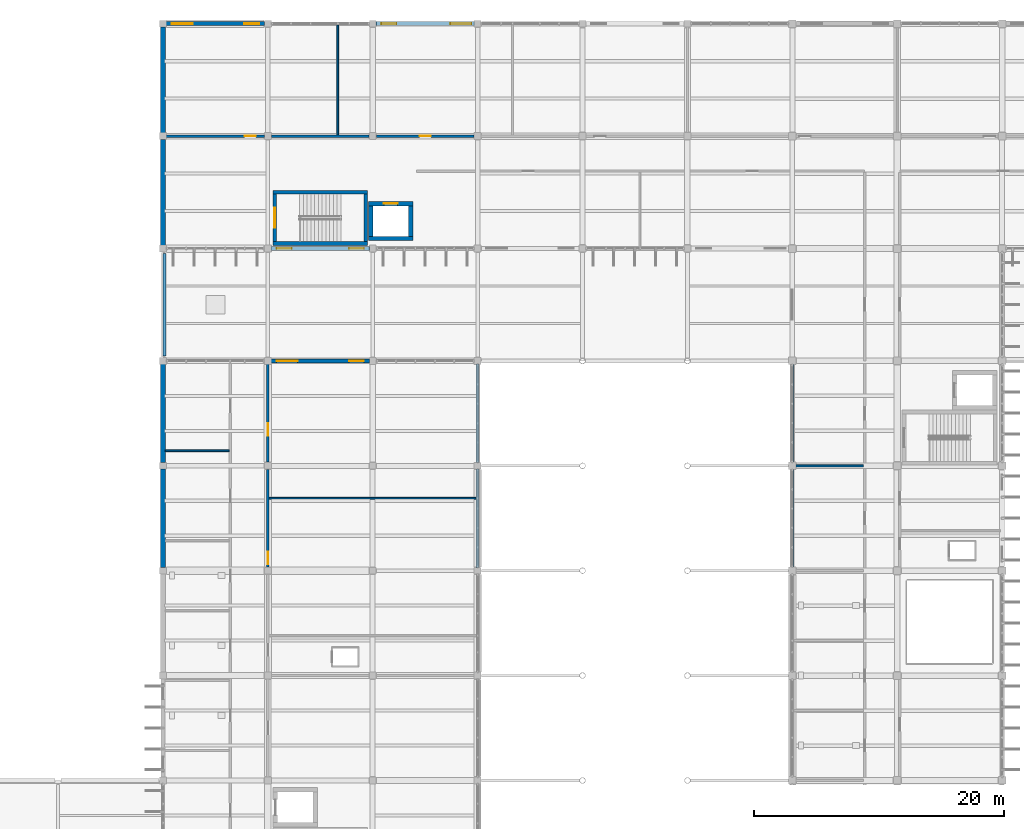
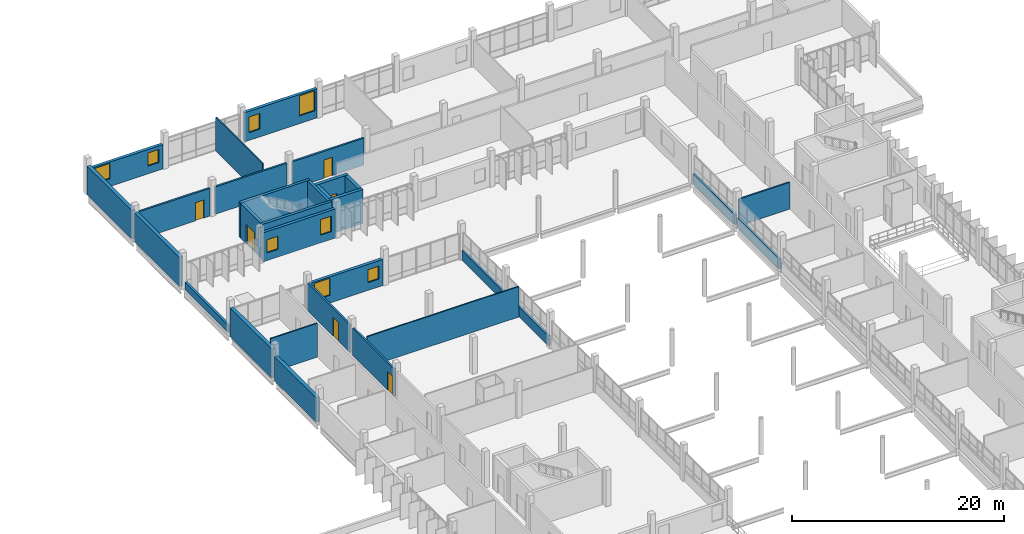
# One storey, part 115 of 130: 30 walls, 8 windows, 6 doors, 14 openings.
"""IFC4 building model written with IfcOpenShell, lengths in metres."""

import ifcopenshell
import ifcopenshell.guid

model = None  # the IFC model being written
_history = None  # IfcOwnerHistory: only IFC2X3 demands one
_inside = {}  # id of a spatial element -> (the spatial element, [elements in it])
_under = {}  # id of a project, library or spatial element -> (it, [spatial elements below it])
_declared = {}  # id of a project -> (the project, [libraries it declares])
_typed = {}  # id of a type object -> (the type object, [elements of that type])
_made_of = {}  # id of a material, layer set ... -> (it, [elements and type objects made of it])


def new_model(schema):
    """Start an empty IFC model of exactly this schema.

    Asked for "IFC4X3", IfcOpenShell would pick the latest addendum, in which some entities
    have other attributes; the version numbers below select the first issue.
    IFC2X3 requires an IfcOwnerHistory on every rooted entity: one is made here for all.
    """
    global model, _history
    if schema == "IFC4X3":
        model = ifcopenshell.file(schema_version=(4, 3, 0, 0))
    else:
        model = ifcopenshell.file(schema=schema)
    _inside.clear()
    _under.clear()
    _declared.clear()
    _typed.clear()
    _made_of.clear()
    _history = None
    if model.schema == "IFC2X3":
        org = make("IfcOrganization", Name="unknown")
        user = make(
            "IfcPersonAndOrganization",
            ThePerson=make("IfcPerson", FamilyName="unknown"),
            TheOrganization=org,
        )
        app = make(
            "IfcApplication",
            ApplicationDeveloper=org,
            Version="unknown",
            ApplicationFullName="unknown",
            ApplicationIdentifier="unknown",
        )
        _history = make(
            "IfcOwnerHistory",
            OwningUser=user,
            OwningApplication=app,
            ChangeAction="ADDED",
            CreationDate=0,
        )
    return model


def make(cls, **values):
    """One entity of the class cls with the attributes given. An attribute that is None is left unset."""
    return model.create_entity(
        cls, **{name: value for name, value in values.items() if value is not None}
    )


def rooted(cls, **values):
    """An entity with a GlobalId (a new one), such as an element, a storey or a relation."""
    return make(cls, GlobalId=ifcopenshell.guid.new(), OwnerHistory=_history, **values)


def si_unit(unit_type, name, prefix=None):
    """IfcSIUnit, for example si_unit("LENGTHUNIT", "METRE", prefix="MILLI")."""
    return make("IfcSIUnit", UnitType=unit_type, Prefix=prefix, Name=name)


def assignment(units):
    """IfcUnitAssignment: the units of a project."""
    return None if units is None else make("IfcUnitAssignment", Units=units)


def point(xyz):
    """IfcCartesianPoint."""
    return None if xyz is None else make("IfcCartesianPoint", Coordinates=xyz)


def direction(xyz):
    """IfcDirection."""
    return None if xyz is None else make("IfcDirection", DirectionRatios=xyz)


def frame(location, z_axis=None, x_axis=None):
    """IfcAxis2Placement3D, a coordinate frame: its origin and axes. An axis left out is left unset."""
    return make(
        "IfcAxis2Placement3D",
        Location=point(location),
        Axis=direction(z_axis),
        RefDirection=direction(x_axis),
    )


def frame_2d(location, x_axis=None):
    """IfcAxis2Placement2D, a coordinate frame in the plane: its origin and x axis."""
    return make(
        "IfcAxis2Placement2D", Location=point(location), RefDirection=direction(x_axis)
    )


def origin():
    """The frame at (0, 0, 0) with its axes left unset."""
    return frame((0.0, 0.0, 0.0))


def place(relative_to, where):
    """IfcLocalPlacement: puts the frame where relative to a parent placement (None: the world)."""
    return make(
        "IfcLocalPlacement", PlacementRelTo=relative_to, RelativePlacement=where
    )


def context(
    kind, dimensions, precision=None, world=None, true_north=None, identifier=None
):
    """IfcGeometricRepresentationContext, for example the 3D "Model" context."""
    return make(
        "IfcGeometricRepresentationContext",
        ContextIdentifier=identifier,
        ContextType=kind,
        CoordinateSpaceDimension=dimensions,
        Precision=precision,
        WorldCoordinateSystem=world,
        TrueNorth=true_north,
    )


def subcontext(parent, identifier, kind, view, scale=None):
    """IfcGeometricRepresentationSubContext, for example "Body" below "Model"."""
    return make(
        "IfcGeometricRepresentationSubContext",
        ContextIdentifier=identifier,
        ContextType=kind,
        ParentContext=parent,
        TargetScale=scale,
        TargetView=view,
    )


def project(units=None, contexts=None):
    """IfcProject with its units and contexts."""
    return rooted(
        "IfcProject",
        Name="project",
        RepresentationContexts=contexts,
        UnitsInContext=assignment(units),
    )


def spatial(cls, under=None, at=None, **own):
    """A site, building, storey or space (cls), placed at a placement, below another one or the project."""
    s = rooted(cls, ObjectPlacement=at, **own)
    if under is not None:
        _under.setdefault(under.id(), (under, []))[1].append(s)
    return s


def profile(cls, at=None, kind="AREA", **sizes):
    """A parametric profile (cls). Its sizes go by their IFC names, for example OverallWidth=200.0."""
    return make(cls, ProfileType=kind, Position=at, **sizes)


def rectangle(**sizes):
    """IfcRectangleProfileDef."""
    return profile("IfcRectangleProfileDef", **sizes)


def extrude(swept, where, along, depth):
    """IfcExtrudedAreaSolid: the profile swept, set in the frame where, extruded along a direction by depth."""
    return make(
        "IfcExtrudedAreaSolid",
        SweptArea=swept,
        Position=where,
        ExtrudedDirection=direction(along),
        Depth=depth,
    )


def shape(context_of_items, identifier, shape_type, items):
    """IfcShapeRepresentation: the items that make up one representation, for example the "Body"."""
    return make(
        "IfcShapeRepresentation",
        ContextOfItems=context_of_items,
        RepresentationIdentifier=identifier,
        RepresentationType=shape_type,
        Items=items,
    )


def material(Name=None, Category=None):
    """IfcMaterial."""
    return make("IfcMaterial", Name=Name, Category=Category)


def layer(
    of_material, thickness, ventilated=None, Name=None, Category=None, Priority=None
):
    """IfcMaterialLayer: one layer of a wall or slab, of a material (None: an air gap)."""
    return make(
        "IfcMaterialLayer",
        Material=of_material,
        LayerThickness=thickness,
        IsVentilated=ventilated,
        Name=Name,
        Category=Category,
        Priority=Priority,
    )


def layer_set(layers, Name=None):
    """IfcMaterialLayerSet."""
    return make("IfcMaterialLayerSet", MaterialLayers=layers, LayerSetName=Name)


def made_of(thing, what):
    """Note that an element or type object is made of a material, layer set ...; save() writes the relation."""
    if what is not None:
        _made_of.setdefault(what.id(), (what, []))[1].append(thing)
    return thing


def type_object(cls, material=None, **own):
    """A type object (cls), such as IfcWallType, which elements share."""
    return made_of(rooted(cls, **own), material)


def element(
    cls,
    number,
    at=None,
    inside=None,
    cuts=None,
    type_object=None,
    material=None,
    context=None,
    identifier="Body",
    shape_type=None,
    held_by="IfcProductDefinitionShape",
    body=None,
    shapes=None,
    **own,
):
    """One element of the class cls, such as IfcWall. Its Tag is "e" and its number.

    at: its placement. inside: the storey or other place that contains it. cuts: it is an
    opening in that element (IfcRelVoidsElement). A single representation is given by context,
    identifier, shape_type and body (its items); several are given by shapes. held_by: the class
    of the entity that holds the representations. save() writes the other relations.
    """
    e = rooted(cls, Tag="e%d" % number, ObjectPlacement=at, **own)
    if body is not None:
        shapes = [shape(context, identifier, shape_type, body)]
    if shapes is not None:
        e.Representation = make(held_by, Representations=shapes)
    if inside is not None:
        _inside.setdefault(inside.id(), (inside, []))[1].append(e)
    if cuts is not None:
        rooted(
            "IfcRelVoidsElement", RelatingBuildingElement=cuts, RelatedOpeningElement=e
        )
    if type_object is not None:
        _typed.setdefault(type_object.id(), (type_object, []))[1].append(e)
    return made_of(e, material)


def fill(opening, filler):
    """IfcRelFillsElement: the door or window that sits in an opening."""
    return rooted(
        "IfcRelFillsElement",
        RelatingOpeningElement=opening,
        RelatedBuildingElement=filler,
    )


def aggregate(whole, parts):
    """IfcRelAggregates: a whole, such as a stair, and the parts it consists of."""
    return rooted("IfcRelAggregates", RelatingObject=whole, RelatedObjects=parts)


def save(model, path):
    """Write the relations noted so far, then the file.

    IfcRelAggregates (storeys below a building ...), IfcRelContainedInSpatialStructure (elements
    in a storey), IfcRelDefinesByType, IfcRelAssociatesMaterial and IfcRelDeclares: one each for
    every whole, place, type object, material and project.
    """
    for whole, parts in _under.values():
        aggregate(whole, parts)
    for where, things in _inside.values():
        rooted(
            "IfcRelContainedInSpatialStructure",
            RelatedElements=things,
            RelatingStructure=where,
        )
    for kind, things in _typed.values():
        rooted("IfcRelDefinesByType", RelatedObjects=things, RelatingType=kind)
    for what, things in _made_of.values():
        rooted("IfcRelAssociatesMaterial", RelatedObjects=things, RelatingMaterial=what)
    for by, libraries in _declared.values():
        rooted("IfcRelDeclares", RelatingContext=by, RelatedDefinitions=libraries)
    model.write(path)


model = new_model("IFC4")

# Units and contexts
model_context = context("Model", 3, precision=1e-05, world=origin(), true_north=direction((0.0, 1.0)))
body_context = subcontext(model_context, "Body", "Model", "MODEL_VIEW")
ifc_project = project(units=[si_unit("LENGTHUNIT", "METRE"), si_unit("AREAUNIT", "SQUARE_METRE"), si_unit("VOLUMEUNIT", "CUBIC_METRE"), si_unit("PLANEANGLEUNIT", "RADIAN"), si_unit("MASSUNIT", "GRAM", prefix="KILO")], contexts=[model_context])

# Site, building, storey
site_placement = place(None, origin())
site = spatial("IfcSite", under=ifc_project, at=site_placement, CompositionType="ELEMENT")
building_placement = place(site_placement, origin())
building = spatial("IfcBuilding", under=site, at=building_placement, Name="Vireocrest Preparatory School", CompositionType="ELEMENT")
storey_placement = place(building_placement, frame((0.0, 0.0, 9.0)))
storey = spatial("IfcBuildingStorey", under=building, at=storey_placement, Name="L02", CompositionType="ELEMENT", Elevation=9.0)

# Walls
ifc_material_1 = material(Name="Gypsum board on cold-formed steel studs", Category="steel")
ifc_layer_1 = layer(ifc_material_1, 0.139892578125)
ifc_layer_set_1 = layer_set([ifc_layer_1], Name="Gypsum board on cold-formed steel studs")
wall_type_1 = type_object("IfcWallType", Name="Classroom Acoustic Partition Wall 140", PredefinedType="PARTITIONING", material=ifc_layer_set_1)
wall_1_placement = place(storey_placement, frame((42.195068359375, 78.60009765625, 0.0), z_axis=(0.0, 0.0, 1.0), x_axis=(1.0, 0.0, 0.0)))
element("IfcWall", 1, at=wall_1_placement, inside=storey, type_object=wall_type_1, Name="Interior Partition W03 IW_L02_0193", PredefinedType="PARTITIONING", context=body_context, shape_type="SweptSolid", body=[
    extrude(rectangle(XDim=5.099853515625, YDim=0.139892578125, at=frame_2d((2.5498046875, 0.0))), origin(), (0.0, 0.0, 1.0), 3.89990234375),
])
wall_2_placement = place(storey_placement, frame((50.5048828125, 74.800048828125, 0.0), z_axis=(0.0, 0.0, 1.0), x_axis=(1.0, 0.0, 0.0)))
element("IfcWall", 2, at=wall_2_placement, inside=storey, type_object=wall_type_1, Name="Interior Partition W03 IW_L02_0199", PredefinedType="PARTITIONING", context=body_context, shape_type="SweptSolid", body=[
    extrude(rectangle(XDim=16.570068359375, YDim=0.139892578125, at=frame_2d((8.28515625, 0.0))), origin(), (0.0, 0.0, 1.0), 3.510009765625),
])
wall_3_placement = place(storey_placement, frame((56.0, 103.905029296875, 0.0), z_axis=(0.0, 0.0, 1.0), x_axis=(0.0, 1.0, 0.0)))
element("IfcWall", 3, at=wall_3_placement, inside=storey, type_object=wall_type_1, Name="Interior Partition W03 IW_L02_0205", PredefinedType="PARTITIONING", context=body_context, shape_type="SweptSolid", body=[
    extrude(rectangle(XDim=8.7900390625, YDim=0.139892578125, at=frame_2d((4.39501953125, 0.0))), origin(), (0.0, 0.0, 1.0), 3.89990234375),
])

# Wall, opening, door
ifc_layer_2 = layer(ifc_material_1, 0.199951171875)
ifc_layer_set_2 = layer_set([ifc_layer_2], Name="Gypsum board on cold-formed steel studs")
wall_type_2 = type_object("IfcWallType", Name="Corridor One-Hour Fire Partition 200", PredefinedType="PARTITIONING", material=ifc_layer_set_2)
wall_4_placement = place(storey_placement, frame((50.39990234375, 69.284912109375, 0.0), z_axis=(0.0, 0.0, 1.0), x_axis=(0.0, 1.0, 0.0)))
wall_4 = element("IfcWall", 4, at=wall_4_placement, inside=storey, type_object=wall_type_2, Name="Interior Partition W06 IW_L02_0202", PredefinedType="PARTITIONING", context=body_context, shape_type="SweptSolid", body=[
    extrude(rectangle(XDim=7.830078125, YDim=0.199951171875, at=frame_2d((3.9150390625, 0.0))), origin(), (0.0, 0.0, 1.0), 3.159912109375),
])
opening_1_placement = place(wall_4_placement, frame((0.25, 0.0, 0.0)))
opening_1 = element("IfcOpeningElement", 5, at=opening_1_placement, cuts=wall_4, Name="Opening D-L02-W2EN03", PredefinedType="OPENING", context=body_context, shape_type="SweptSolid", body=[
    extrude(rectangle(XDim=1.0, YDim=2.14990234375, at=frame_2d((0.5, 1.074951171875))), frame((0.0, 0.10986328125, 0.0), z_axis=(0.0, -1.0, 0.0), x_axis=(1.0, 0.0, 0.0)), (0.0, 0.0, 1.0), 0.219970703125),
])
ifc_material_2 = material(Name="Solid-core architectural birch timber", Category="wood")
door_type_1 = type_object("IfcDoorType", Name="Classroom Acoustic Timber Door 1000x2150", OperationType="NOTDEFINED", PredefinedType="DOOR", material=ifc_material_2)
door_1_placement = place(opening_1_placement, origin())
door_1 = element("IfcDoor", 6, at=door_1_placement, inside=storey, type_object=door_type_1, Name="Interior Door D-L02-W2EN03", OperationType="SINGLE_SWING_RIGHT", OverallHeight=2.14990234375, OverallWidth=1.0, PredefinedType="DOOR", context=body_context, shape_type="SweptSolid", body=[
    extrude(rectangle(XDim=1.0, YDim=2.14990234375, at=frame_2d((0.5, 1.074951171875))), frame((0.0, 0.02490234375, 0.0), z_axis=(0.0, -1.0, 0.0), x_axis=(1.0, 0.0, 0.0)), (0.0, 0.0, 1.0), 0.050048828125),
])
fill(opening_1, door_1)

wall_5_placement = place(storey_placement, frame((50.39990234375, 77.68505859375, 0.0), z_axis=(0.0, 0.0, 1.0), x_axis=(0.0, 1.0, 0.0)))
wall_5 = element("IfcWall", 7, at=wall_5_placement, inside=storey, type_object=wall_type_2, Name="Interior Partition W06 IW_L02_0203", PredefinedType="PARTITIONING", context=body_context, shape_type="SweptSolid", body=[
    extrude(rectangle(XDim=8.010009765625, YDim=0.199951171875, at=frame_2d((4.0048828125, 0.0))), origin(), (0.0, 0.0, 1.0), 3.2099609375),
])
opening_2_placement = place(wall_5_placement, frame((2.114990234375, 0.0, 0.0)))
opening_2 = element("IfcOpeningElement", 8, at=opening_2_placement, cuts=wall_5, Name="Opening D-L02-W2EN04", PredefinedType="OPENING", context=body_context, shape_type="SweptSolid", body=[
    extrude(rectangle(XDim=1.0, YDim=2.14990234375, at=frame_2d((0.5, 1.074951171875))), frame((0.0, 0.10986328125, 0.0), z_axis=(0.0, -1.0, 0.0), x_axis=(1.0, 0.0, 0.0)), (0.0, 0.0, 1.0), 0.219970703125),
])
door_2_placement = place(opening_2_placement, origin())
door_2 = element("IfcDoor", 9, at=door_2_placement, inside=storey, type_object=door_type_1, Name="Interior Door D-L02-W2EN04", OperationType="SINGLE_SWING_LEFT", OverallHeight=2.14990234375, OverallWidth=1.0, PredefinedType="DOOR", context=body_context, shape_type="SweptSolid", body=[
    extrude(rectangle(XDim=1.0, YDim=2.14990234375, at=frame_2d((0.5, 1.074951171875))), frame((0.0, 0.02490234375, 0.0), z_axis=(0.0, -1.0, 0.0), x_axis=(1.0, 0.0, 0.0)), (0.0, 0.0, 1.0), 0.050048828125),
])
fill(opening_2, door_2)

wall_6_placement = place(storey_placement, frame((42.195068359375, 103.800048828125, 0.0), z_axis=(0.0, 0.0, 1.0), x_axis=(1.0, 0.0, 0.0)))
wall_6 = element("IfcWall", 10, at=wall_6_placement, inside=storey, type_object=wall_type_2, Name="Interior Partition W06 IW_L02_0209", PredefinedType="PARTITIONING", context=body_context, shape_type="SweptSolid", body=[
    extrude(rectangle(XDim=7.919921875, YDim=0.199951171875, at=frame_2d((3.9599609375, 0.0))), origin(), (0.0, 0.0, 1.0), 3.2099609375),
])
opening_3_placement = place(wall_6_placement, frame((6.35498046875, 0.0, 0.0)))
opening_3 = element("IfcOpeningElement", 11, at=opening_3_placement, cuts=wall_6, Name="Opening D-L02-N2N01", PredefinedType="OPENING", context=body_context, shape_type="SweptSolid", body=[
    extrude(rectangle(XDim=0.89990234375, YDim=2.10009765625, at=frame_2d((0.449951171875, 1.050048828125))), frame((0.0, 0.10986328125, 0.0), z_axis=(0.0, -1.0, 0.0), x_axis=(1.0, 0.0, 0.0)), (0.0, 0.0, 1.0), 0.219970703125),
])
door_type_2 = type_object("IfcDoorType", Name="Office Timber Door 900x2100", OperationType="NOTDEFINED", PredefinedType="DOOR", material=ifc_material_2)
door_3_placement = place(opening_3_placement, origin())
door_3 = element("IfcDoor", 12, at=door_3_placement, inside=storey, type_object=door_type_2, Name="Interior Door D-L02-N2N01", OperationType="SINGLE_SWING_LEFT", OverallHeight=2.10009765625, OverallWidth=0.89990234375, PredefinedType="DOOR", context=body_context, shape_type="SweptSolid", body=[
    extrude(rectangle(XDim=0.89990234375, YDim=2.10009765625, at=frame_2d((0.449951171875, 1.050048828125))), frame((0.0, 0.02490234375, 0.0), z_axis=(0.0, -1.0, 0.0), x_axis=(1.0, 0.0, 0.0)), (0.0, 0.0, 1.0), 0.050048828125),
])
fill(opening_3, door_3)

# Wall
wall_7_placement = place(storey_placement, frame((50.68505859375, 103.800048828125, 0.0), z_axis=(0.0, 0.0, 1.0), x_axis=(1.0, 0.0, 0.0)))
element("IfcWall", 13, at=wall_7_placement, inside=storey, type_object=wall_type_2, Name="Interior Partition W06 IW_L02_0210", PredefinedType="PARTITIONING", context=body_context, shape_type="SweptSolid", body=[
    extrude(rectangle(XDim=7.829833984375, YDim=0.199951171875, at=frame_2d((3.9150390625, 0.0))), origin(), (0.0, 0.0, 1.0), 3.159912109375),
])

# Wall, opening, door
wall_8_placement = place(storey_placement, frame((59.0849609375, 103.800048828125, 0.0), z_axis=(0.0, 0.0, 1.0), x_axis=(1.0, 0.0, 0.0)))
wall_8 = element("IfcWall", 14, at=wall_8_placement, inside=storey, type_object=wall_type_2, Name="Interior Partition W06 IW_L02_0211", PredefinedType="PARTITIONING", context=body_context, shape_type="SweptSolid", body=[
    extrude(rectangle(XDim=7.830078125, YDim=0.199951171875, at=frame_2d((3.9150390625, 0.0))), origin(), (0.0, 0.0, 1.0), 3.110107421875),
])
opening_4_placement = place(wall_8_placement, frame((3.465087890625, 0.0, 0.0)))
opening_4 = element("IfcOpeningElement", 15, at=opening_4_placement, cuts=wall_8, Name="Opening D-L02-N2N02", PredefinedType="OPENING", context=body_context, shape_type="SweptSolid", body=[
    extrude(rectangle(XDim=0.89990234375, YDim=2.10009765625, at=frame_2d((0.449951171875, 1.050048828125))), frame((0.0, 0.10986328125, 0.0), z_axis=(0.0, -1.0, 0.0), x_axis=(1.0, 0.0, 0.0)), (0.0, 0.0, 1.0), 0.219970703125),
])
door_4_placement = place(opening_4_placement, origin())
door_4 = element("IfcDoor", 16, at=door_4_placement, inside=storey, type_object=door_type_2, Name="Interior Door D-L02-N2N02", OperationType="SINGLE_SWING_RIGHT", OverallHeight=2.10009765625, OverallWidth=0.89990234375, PredefinedType="DOOR", context=body_context, shape_type="SweptSolid", body=[
    extrude(rectangle(XDim=0.89990234375, YDim=2.10009765625, at=frame_2d((0.449951171875, 1.050048828125))), frame((0.0, 0.02490234375, 0.0), z_axis=(0.0, -1.0, 0.0), x_axis=(1.0, 0.0, 0.0)), (0.0, 0.0, 1.0), 0.050048828125),
])
fill(opening_4, door_4)

# Wall, openings, windows
ifc_material_3 = material(Name="Precast white concrete 40 MPa", Category="concrete")
ifc_layer_3 = layer(ifc_material_3, 0.320068359375)
ifc_layer_set_3 = layer_set([ifc_layer_3], Name="Precast white concrete 40 MPa")
wall_type_3 = type_object("IfcWallType", Name="High-Tech Insulated Rainscreen External Wall 320", PredefinedType="SOLIDWALL", material=ifc_layer_set_3)
wall_9_placement = place(storey_placement, frame((42.25, 112.800048828125, 0.0), z_axis=(0.0, 0.0, 1.0), x_axis=(1.0, 0.0, 0.0)))
wall_9 = element("IfcWall", 17, at=wall_9_placement, inside=storey, type_object=wall_type_3, Name="External Wall W12 EW_L02_0237", PredefinedType="SOLIDWALL", context=body_context, shape_type="SweptSolid", body=[
    extrude(rectangle(XDim=7.89990234375, YDim=0.320068359375, at=frame_2d((3.949951171875, 0.0))), origin(), (0.0, 0.0, 1.0), 2.81005859375),
])
opening_5_placement = place(wall_9_placement, frame((0.449951171875, 0.0, 0.89990234375)))
opening_5 = element("IfcOpeningElement", 18, at=opening_5_placement, cuts=wall_9, Name="Opening WN07", PredefinedType="OPENING", context=body_context, shape_type="SweptSolid", body=[
    extrude(rectangle(XDim=1.679931640625, YDim=1.760009765625, at=frame_2d((0.83984375, 0.8798828125))), frame((0.0, 0.169921875, 0.0), z_axis=(0.0, -1.0, 0.0), x_axis=(1.0, 0.0, 0.0)), (0.0, 0.0, 1.0), 0.340087890625),
])
opening_6_placement = place(wall_9_placement, frame((6.25, 0.0, 0.89990234375)))
opening_6 = element("IfcOpeningElement", 19, at=opening_6_placement, cuts=wall_9, Name="Opening WN01", PredefinedType="OPENING", context=body_context, shape_type="SweptSolid", body=[
    extrude(rectangle(XDim=1.199951171875, YDim=1.5, at=frame_2d((0.60009765625, 0.75))), frame((0.0, 0.169921875, 0.0), z_axis=(0.0, -1.0, 0.0), x_axis=(1.0, 0.0, 0.0)), (0.0, 0.0, 1.0), 0.340087890625),
])
ifc_material_4 = material(Name="Thermally broken aluminium EN AW-6063-T6", Category="aluminium")
window_type_1 = type_object("IfcWindowType", Name="Module Lab Window 1680x2400", PartitioningType="SINGLE_PANEL", PredefinedType="WINDOW", material=ifc_material_4)
window_1_placement = place(opening_5_placement, origin())
window_1 = element("IfcWindow", 20, at=window_1_placement, inside=storey, type_object=window_type_1, Name="Window W-L02-104 (WN07)", OverallHeight=1.760009765625, OverallWidth=1.679931640625, PartitioningType="SINGLE_PANEL", PredefinedType="WINDOW", context=body_context, shape_type="SweptSolid", body=[
    extrude(rectangle(XDim=1.679931640625, YDim=1.760009765625, at=frame_2d((0.83984375, 0.8798828125))), frame((0.0, 0.030029296875, 0.0), z_axis=(0.0, -1.0, 0.0), x_axis=(1.0, 0.0, 0.0)), (0.0, 0.0, 1.0), 0.06005859375),
])
fill(opening_5, window_1)
window_type_2 = type_object("IfcWindowType", Name="Office Punched Window 1200x1500", PartitioningType="SINGLE_PANEL", PredefinedType="WINDOW", material=ifc_material_4)
window_2_placement = place(opening_6_placement, origin())
window_2 = element("IfcWindow", 21, at=window_2_placement, inside=storey, type_object=window_type_2, Name="Window W-L02-105 (WN01)", OverallHeight=1.5, OverallWidth=1.199951171875, PartitioningType="SINGLE_PANEL", PredefinedType="WINDOW", context=body_context, shape_type="SweptSolid", body=[
    extrude(rectangle(XDim=1.199951171875, YDim=1.5, at=frame_2d((0.60009765625, 0.75))), frame((0.0, 0.030029296875, 0.0), z_axis=(0.0, -1.0, 0.0), x_axis=(1.0, 0.0, 0.0)), (0.0, 0.0, 1.0), 0.06005859375),
])
fill(opening_6, window_2)

wall_10_placement = place(storey_placement, frame((59.050048828125, 112.800048828125, 0.0), z_axis=(0.0, 0.0, 1.0), x_axis=(1.0, 0.0, 0.0)))
wall_10 = element("IfcWall", 22, at=wall_10_placement, inside=storey, type_object=wall_type_3, Name="External Wall W12 EW_L02_0239", PredefinedType="SOLIDWALL", context=body_context, shape_type="SweptSolid", body=[
    extrude(rectangle(XDim=7.89990234375, YDim=0.320068359375, at=frame_2d((3.949951171875, 0.0))), origin(), (0.0, 0.0, 1.0), 3.360107421875),
])
opening_7_placement = place(wall_10_placement, frame((0.449951171875, 0.0, 0.89990234375)))
opening_7 = element("IfcOpeningElement", 23, at=opening_7_placement, cuts=wall_10, Name="Opening WN02", PredefinedType="OPENING", context=body_context, shape_type="SweptSolid", body=[
    extrude(rectangle(XDim=1.199951171875, YDim=1.800048828125, at=frame_2d((0.60009765625, 0.89990234375))), frame((0.0, 0.169921875, 0.0), z_axis=(0.0, -1.0, 0.0), x_axis=(1.0, 0.0, 0.0)), (0.0, 0.0, 1.0), 0.340087890625),
])
opening_8_placement = place(wall_10_placement, frame((5.969970703125, 0.0, 0.89990234375)))
opening_8 = element("IfcOpeningElement", 24, at=opening_8_placement, cuts=wall_10, Name="Opening WN07", PredefinedType="OPENING", context=body_context, shape_type="SweptSolid", body=[
    extrude(rectangle(XDim=1.679931640625, YDim=2.31005859375, at=frame_2d((0.83984375, 1.155029296875))), frame((0.0, 0.169921875, 0.0), z_axis=(0.0, -1.0, 0.0), x_axis=(1.0, 0.0, 0.0)), (0.0, 0.0, 1.0), 0.340087890625),
])
window_type_3 = type_object("IfcWindowType", Name="Counseling Window 1200x1800", PartitioningType="SINGLE_PANEL", PredefinedType="WINDOW", material=ifc_material_4)
window_3_placement = place(opening_7_placement, origin())
window_3 = element("IfcWindow", 25, at=window_3_placement, inside=storey, type_object=window_type_3, Name="Window W-L02-106 (WN02)", OverallHeight=1.800048828125, OverallWidth=1.199951171875, PartitioningType="SINGLE_PANEL", PredefinedType="WINDOW", context=body_context, shape_type="SweptSolid", body=[
    extrude(rectangle(XDim=1.199951171875, YDim=1.800048828125, at=frame_2d((0.60009765625, 0.89990234375))), frame((0.0, 0.030029296875, 0.0), z_axis=(0.0, -1.0, 0.0), x_axis=(1.0, 0.0, 0.0)), (0.0, 0.0, 1.0), 0.06005859375),
])
fill(opening_7, window_3)
window_4_placement = place(opening_8_placement, origin())
window_4 = element("IfcWindow", 26, at=window_4_placement, inside=storey, type_object=window_type_1, Name="Window W-L02-107 (WN07)", OverallHeight=2.31005859375, OverallWidth=1.679931640625, PartitioningType="SINGLE_PANEL", PredefinedType="WINDOW", context=body_context, shape_type="SweptSolid", body=[
    extrude(rectangle(XDim=1.679931640625, YDim=2.31005859375, at=frame_2d((0.83984375, 1.155029296875))), frame((0.0, 0.030029296875, 0.0), z_axis=(0.0, -1.0, 0.0), x_axis=(1.0, 0.0, 0.0)), (0.0, 0.0, 1.0), 0.06005859375),
])
fill(opening_8, window_4)

wall_11_placement = place(storey_placement, frame((50.64990234375, 94.800048828125, 0.0), z_axis=(0.0, 0.0, 1.0), x_axis=(1.0, 0.0, 0.0)))
wall_11 = element("IfcWall", 27, at=wall_11_placement, inside=storey, type_object=wall_type_3, Name="External Wall W12 EW_L02_0249", PredefinedType="SOLIDWALL", context=body_context, shape_type="SweptSolid", body=[
    extrude(rectangle(XDim=7.900146484375, YDim=0.320068359375, at=frame_2d((3.9501953125, 0.0))), origin(), (0.0, 0.0, 1.0), 3.360107421875),
])
opening_9_placement = place(wall_11_placement, frame((0.449951171875, 0.0, 0.89990234375)))
opening_9 = element("IfcOpeningElement", 28, at=opening_9_placement, cuts=wall_11, Name="Opening WN01", PredefinedType="OPENING", context=body_context, shape_type="SweptSolid", body=[
    extrude(rectangle(XDim=1.199951171875, YDim=1.5, at=frame_2d((0.60009765625, 0.75))), frame((0.0, 0.169921875, 0.0), z_axis=(0.0, -1.0, 0.0), x_axis=(1.0, 0.0, 0.0)), (0.0, 0.0, 1.0), 0.340087890625),
])
opening_10_placement = place(wall_11_placement, frame((6.25, 0.0, 0.89990234375)))
opening_10 = element("IfcOpeningElement", 29, at=opening_10_placement, cuts=wall_11, Name="Opening WN02", PredefinedType="OPENING", context=body_context, shape_type="SweptSolid", body=[
    extrude(rectangle(XDim=1.199951171875, YDim=1.800048828125, at=frame_2d((0.60009765625, 0.89990234375))), frame((0.0, 0.169921875, 0.0), z_axis=(0.0, -1.0, 0.0), x_axis=(1.0, 0.0, 0.0)), (0.0, 0.0, 1.0), 0.340087890625),
])
window_5_placement = place(opening_10_placement, origin())
window_5 = element("IfcWindow", 30, at=window_5_placement, inside=storey, type_object=window_type_3, Name="Window W-L02-115 (WN02)", OverallHeight=1.800048828125, OverallWidth=1.199951171875, PartitioningType="SINGLE_PANEL", PredefinedType="WINDOW", context=body_context, shape_type="SweptSolid", body=[
    extrude(rectangle(XDim=1.199951171875, YDim=1.800048828125, at=frame_2d((0.60009765625, 0.89990234375))), frame((0.0, 0.030029296875, 0.0), z_axis=(0.0, -1.0, 0.0), x_axis=(1.0, 0.0, 0.0)), (0.0, 0.0, 1.0), 0.06005859375),
])
fill(opening_10, window_5)
window_6_placement = place(opening_9_placement, origin())
window_6 = element("IfcWindow", 31, at=window_6_placement, inside=storey, type_object=window_type_2, Name="Window W-L02-114 (WN01)", OverallHeight=1.5, OverallWidth=1.199951171875, PartitioningType="SINGLE_PANEL", PredefinedType="WINDOW", context=body_context, shape_type="SweptSolid", body=[
    extrude(rectangle(XDim=1.199951171875, YDim=1.5, at=frame_2d((0.60009765625, 0.75))), frame((0.0, 0.030029296875, 0.0), z_axis=(0.0, -1.0, 0.0), x_axis=(1.0, 0.0, 0.0)), (0.0, 0.0, 1.0), 0.06005859375),
])
fill(opening_9, window_6)

wall_12_placement = place(storey_placement, frame((50.64990234375, 85.800048828125, 0.0), z_axis=(0.0, 0.0, 1.0), x_axis=(1.0, 0.0, 0.0)))
wall_12 = element("IfcWall", 32, at=wall_12_placement, inside=storey, type_object=wall_type_3, Name="External Wall W12 EW_L02_0299", PredefinedType="SOLIDWALL", context=body_context, shape_type="SweptSolid", body=[
    extrude(rectangle(XDim=7.900146484375, YDim=0.320068359375, at=frame_2d((3.9501953125, 0.0))), origin(), (0.0, 0.0, 1.0), 3.010009765625),
])
opening_11_placement = place(wall_12_placement, frame((0.449951171875, 0.0, 0.89990234375)))
opening_11 = element("IfcOpeningElement", 33, at=opening_11_placement, cuts=wall_12, Name="Opening WN07", PredefinedType="OPENING", context=body_context, shape_type="SweptSolid", body=[
    extrude(rectangle(XDim=1.679931640625, YDim=1.9599609375, at=frame_2d((0.83984375, 0.97998046875))), frame((0.0, 0.169921875, 0.0), z_axis=(0.0, -1.0, 0.0), x_axis=(1.0, 0.0, 0.0)), (0.0, 0.0, 1.0), 0.340087890625),
])
opening_12_placement = place(wall_12_placement, frame((6.25, 0.0, 0.89990234375)))
opening_12 = element("IfcOpeningElement", 34, at=opening_12_placement, cuts=wall_12, Name="Opening WN01", PredefinedType="OPENING", context=body_context, shape_type="SweptSolid", body=[
    extrude(rectangle(XDim=1.199951171875, YDim=1.5, at=frame_2d((0.60009765625, 0.75))), frame((0.0, 0.169921875, 0.0), z_axis=(0.0, -1.0, 0.0), x_axis=(1.0, 0.0, 0.0)), (0.0, 0.0, 1.0), 0.340087890625),
])
window_7_placement = place(opening_11_placement, origin())
window_7 = element("IfcWindow", 35, at=window_7_placement, inside=storey, type_object=window_type_1, Name="Window W-L02-146 (WN07)", OverallHeight=1.9599609375, OverallWidth=1.679931640625, PartitioningType="SINGLE_PANEL", PredefinedType="WINDOW", context=body_context, shape_type="SweptSolid", body=[
    extrude(rectangle(XDim=1.679931640625, YDim=1.9599609375, at=frame_2d((0.83984375, 0.97998046875))), frame((0.0, 0.030029296875, 0.0), z_axis=(0.0, -1.0, 0.0), x_axis=(1.0, 0.0, 0.0)), (0.0, 0.0, 1.0), 0.06005859375),
])
fill(opening_11, window_7)
window_8_placement = place(opening_12_placement, origin())
window_8 = element("IfcWindow", 36, at=window_8_placement, inside=storey, type_object=window_type_2, Name="Window W-L02-147 (WN01)", OverallHeight=1.5, OverallWidth=1.199951171875, PartitioningType="SINGLE_PANEL", PredefinedType="WINDOW", context=body_context, shape_type="SweptSolid", body=[
    extrude(rectangle(XDim=1.199951171875, YDim=1.5, at=frame_2d((0.60009765625, 0.75))), frame((0.0, 0.030029296875, 0.0), z_axis=(0.0, -1.0, 0.0), x_axis=(1.0, 0.0, 0.0)), (0.0, 0.0, 1.0), 0.06005859375),
])
fill(opening_12, window_8)

# Walls
ifc_layer_4 = layer(ifc_material_3, 0.260009765625)
ifc_layer_set_4 = layer_set([ifc_layer_4], Name="Precast white concrete 40 MPa")
wall_type_4 = type_object("IfcWallType", Name="Insulated Roof Parapet Wall 260", PredefinedType="PARAPET", material=ifc_layer_set_4)
wall_13_placement = place(storey_placement, frame((42.1298828125, 86.18994140625, 0.0), z_axis=(0.0, 0.0, 1.0), x_axis=(0.0, 1.0, 0.0)))
element("IfcWall", 37, at=wall_13_placement, inside=storey, type_object=wall_type_4, Name="Roof Parapet W09 L02_NORTH_CONCOURSE_ROOF-2", PredefinedType="PARAPET", context=body_context, shape_type="SweptSolid", body=[
    extrude(rectangle(XDim=8.219970703125, YDim=0.260009765625, at=frame_2d((4.10986328125, 0.0))), origin(), (0.0, 0.0, 1.0), 0.85009765625),
])
ifc_layer_5 = layer(ifc_material_1, 0.159912109375)
ifc_layer_set_5 = layer_set([ifc_layer_5], Name="Gypsum board on cold-formed steel studs")
wall_type_5 = type_object("IfcWallType", Name="Laboratory Wet-Service Partition Wall 160", PredefinedType="PARTITIONING", material=ifc_layer_set_5)
wall_14_placement = place(storey_placement, frame((92.52490234375, 77.39990234375, 0.0), z_axis=(0.0, 0.0, 1.0), x_axis=(1.0, 0.0, 0.0)))
element("IfcWall", 38, at=wall_14_placement, inside=storey, type_object=wall_type_5, Name="Interior Partition W04 IW_L02_0231", PredefinedType="PARTITIONING", context=body_context, shape_type="SweptSolid", body=[
    extrude(rectangle(XDim=5.570068359375, YDim=0.159912109375, at=frame_2d((2.78515625, 0.0))), origin(), (0.0, 0.0, 1.0), 3.090087890625),
])
ifc_material_5 = material(Name="Concrete 45 MPa", Category="concrete")
ifc_layer_6 = layer(ifc_material_5, 0.35009765625)
ifc_layer_set_6 = layer_set([ifc_layer_6], Name="Concrete 45 MPa")
wall_type_6 = type_object("IfcWallType", Name="Two-Hour RC Lift Core Shear Wall 350", PredefinedType="SHEAR", material=ifc_layer_set_6)
wall_15_placement = place(storey_placement, frame((58.47509765625, 95.60009765625, 0.0), z_axis=(0.0, 0.0, 1.0), x_axis=(1.0, 0.0, 0.0)))
element("IfcWall", 39, at=wall_15_placement, inside=storey, type_object=wall_type_6, Name="Lift Core Shear Wall LF3 L02-S", PredefinedType="SHEAR", context=body_context, shape_type="SweptSolid", body=[
    extrude(rectangle(XDim=3.5498046875, YDim=0.35009765625, at=frame_2d((1.77490234375, 0.0))), origin(), (0.0, 0.0, 1.0), 3.919921875),
])

# Wall, opening, door
wall_16_placement = place(storey_placement, frame((58.47509765625, 98.39990234375, 0.0), z_axis=(0.0, 0.0, 1.0), x_axis=(1.0, 0.0, 0.0)))
wall_16 = element("IfcWall", 40, at=wall_16_placement, inside=storey, type_object=wall_type_6, Name="Lift Core Shear Wall LF3 L02-N", PredefinedType="SHEAR", context=body_context, shape_type="SweptSolid", body=[
    extrude(rectangle(XDim=3.5498046875, YDim=0.35009765625, at=frame_2d((1.77490234375, 0.0))), origin(), (0.0, 0.0, 1.0), 3.919921875),
])
opening_13_placement = place(wall_16_placement, frame((1.22509765625, 0.0, 0.0)))
opening_13 = element("IfcOpeningElement", 41, at=opening_13_placement, cuts=wall_16, Name="Opening LD-LF3-L02", PredefinedType="OPENING", context=body_context, shape_type="SweptSolid", body=[
    extrude(rectangle(XDim=1.10009765625, YDim=2.199951171875, at=frame_2d((0.550048828125, 1.10009765625))), frame((0.0, 0.18505859375, 0.0), z_axis=(0.0, -1.0, 0.0), x_axis=(1.0, 0.0, 0.0)), (0.0, 0.0, 1.0), 0.3701171875),
])
ifc_material_6 = material(Name="Painted galvanized hollow steel", Category="steel")
door_type_3 = type_object("IfcDoorType", Name="Lift Landing Sliding Door 1100x2200", OperationType="DOUBLE_DOOR_SLIDING", PredefinedType="DOOR", material=ifc_material_6)
door_5_placement = place(opening_13_placement, origin())
door_5 = element("IfcDoor", 42, at=door_5_placement, inside=storey, type_object=door_type_3, Name="Lift Landing Door LD-LF3-L02", OperationType="DOUBLE_DOOR_SLIDING", OverallHeight=2.199951171875, OverallWidth=1.10009765625, PredefinedType="DOOR", context=body_context, shape_type="SweptSolid", body=[
    extrude(rectangle(XDim=1.10009765625, YDim=2.199951171875, at=frame_2d((0.550048828125, 1.10009765625))), frame((0.0, 0.02490234375, 0.0), z_axis=(0.0, -1.0, 0.0), x_axis=(1.0, 0.0, 0.0)), (0.0, 0.0, 1.0), 0.050048828125),
])
fill(opening_13, door_5)

# Walls
for number, where, z_axis, x_axis, name in (
    (43, (58.64990234375, 95.77490234375, 0.0), (0.0, 0.0, 1.0), (0.0, 1.0, 0.0), "Lift Core Shear Wall LF3 L02-W"),
    (44, (61.85009765625, 95.77490234375, 0.0), (0.0, 0.0, 1.0), (0.0, 1.0, 0.0), "Lift Core Shear Wall LF3 L02-E"),
):
    element("IfcWall", number, at=place(storey_placement, frame(where, z_axis=z_axis, x_axis=x_axis)), inside=storey, type_object=wall_type_6, Name=name, PredefinedType="SHEAR", context=body_context, shape_type="SweptSolid", body=[
        extrude(rectangle(XDim=2.4501953125, YDim=0.35009765625, at=frame_2d((1.22509765625, 0.0))), origin(), (0.0, 0.0, 1.0), 3.919921875),
    ])
ifc_layer_7 = layer(ifc_material_5, 0.3798828125)
ifc_layer_set_7 = layer_set([ifc_layer_7], Name="Concrete 45 MPa")
wall_type_7 = type_object("IfcWallType", Name="Two-Hour RC Lot-Line Shear Wall 380", PredefinedType="SHEAR", material=ifc_layer_set_7)
wall_17_placement = place(storey_placement, frame((42.0, 95.050048828125, 0.0), z_axis=(0.0, 0.0, 1.0), x_axis=(0.0, 1.0, 0.0)))
element("IfcWall", 45, at=wall_17_placement, inside=storey, type_object=wall_type_7, Name="External Wall PW1 PARTY_L02_0246", PredefinedType="SHEAR", context=body_context, shape_type="SweptSolid", body=[
    extrude(rectangle(XDim=8.5, YDim=0.3798828125, at=frame_2d((4.25, 0.0))), origin(), (0.0, 0.0, 1.0), 3.360107421875),
])
wall_18_placement = place(storey_placement, frame((42.0, 104.050048828125, 0.0), z_axis=(0.0, 0.0, 1.0), x_axis=(0.0, 1.0, 0.0)))
element("IfcWall", 46, at=wall_18_placement, inside=storey, type_object=wall_type_7, Name="External Wall PW1 PARTY_L02_0247", PredefinedType="SHEAR", context=body_context, shape_type="SweptSolid", body=[
    extrude(rectangle(XDim=8.5, YDim=0.3798828125, at=frame_2d((4.25, 0.0))), origin(), (0.0, 0.0, 1.0), 3.31005859375),
])
wall_19_placement = place(storey_placement, frame((42.0, 69.25, 0.0), z_axis=(0.0, 0.0, 1.0), x_axis=(0.0, 1.0, 0.0)))
element("IfcWall", 47, at=wall_19_placement, inside=storey, type_object=wall_type_7, Name="External Wall PW1 PARTY_L02_0287", PredefinedType="SHEAR", context=body_context, shape_type="SweptSolid", body=[
    extrude(rectangle(XDim=7.89990234375, YDim=0.3798828125, at=frame_2d((3.949951171875, 0.0))), origin(), (0.0, 0.0, 1.0), 2.81005859375),
])
wall_20_placement = place(storey_placement, frame((42.0, 77.64990234375, 0.0), z_axis=(0.0, 0.0, 1.0), x_axis=(0.0, 1.0, 0.0)))
element("IfcWall", 48, at=wall_20_placement, inside=storey, type_object=wall_type_7, Name="External Wall PW1 PARTY_L02_0288", PredefinedType="SHEAR", context=body_context, shape_type="SweptSolid", body=[
    extrude(rectangle(XDim=7.900146484375, YDim=0.3798828125, at=frame_2d((3.9501953125, 0.0))), origin(), (0.0, 0.0, 1.0), 3.360107421875),
])
ifc_layer_8 = layer(ifc_material_5, 0.300048828125)
ifc_layer_set_8 = layer_set([ifc_layer_8], Name="Concrete 45 MPa")
wall_type_8 = type_object("IfcWallType", Name="Two-Hour RC Stair Shaft Shear Wall 300", PredefinedType="SHEAR", material=ifc_layer_set_8)
for number, where, z_axis, x_axis, name in (
    (49, (50.800048828125, 95.199951171875, 0.0), (0.0, 0.0, 1.0), (1.0, 0.0, 0.0), "Stair Core Shear Wall ST3 L02-S"),
    (50, (50.800048828125, 99.300048828125, 0.0), (0.0, 0.0, 1.0), (1.0, 0.0, 0.0), "Stair Core Shear Wall ST3 L02-N"),
):
    element("IfcWall", number, at=place(storey_placement, frame(where, z_axis=z_axis, x_axis=x_axis)), inside=storey, type_object=wall_type_8, Name=name, PredefinedType="SHEAR", context=body_context, shape_type="SweptSolid", body=[
        extrude(rectangle(XDim=7.599853515625, YDim=0.300048828125, at=frame_2d((3.7998046875, 0.0))), origin(), (0.0, 0.0, 1.0), 4.02490234375),
    ])

# Wall, opening, door
wall_21_placement = place(storey_placement, frame((50.949951171875, 95.35009765625, 0.0), z_axis=(0.0, 0.0, 1.0), x_axis=(0.0, 1.0, 0.0)))
wall_21 = element("IfcWall", 51, at=wall_21_placement, inside=storey, type_object=wall_type_8, Name="Stair Core Shear Wall ST3 L02-W", PredefinedType="SHEAR", context=body_context, shape_type="SweptSolid", body=[
    extrude(rectangle(XDim=3.7998046875, YDim=0.300048828125, at=frame_2d((1.89990234375, 0.0))), origin(), (0.0, 0.0, 1.0), 4.02490234375),
])
opening_14_placement = place(wall_21_placement, frame((1.10009765625, 0.0, 0.0)))
opening_14 = element("IfcOpeningElement", 52, at=opening_14_placement, cuts=wall_21, Name="Opening SD-ST3-L02", PredefinedType="OPENING", context=body_context, shape_type="SweptSolid", body=[
    extrude(rectangle(XDim=1.60009765625, YDim=2.199951171875, at=frame_2d((0.800048828125, 1.10009765625))), frame((0.0, 0.159912109375, 0.0), z_axis=(0.0, -1.0, 0.0), x_axis=(1.0, 0.0, 0.0)), (0.0, 0.0, 1.0), 0.320068359375),
])
door_type_4 = type_object("IfcDoorType", Name="Stair Core Lobby Fire Door 1600x2200", OperationType="DOUBLE_DOOR_SINGLE_SWING", PredefinedType="DOOR", material=ifc_material_6)
door_6_placement = place(opening_14_placement, origin())
door_6 = element("IfcDoor", 53, at=door_6_placement, inside=storey, type_object=door_type_4, Name="Stair Enclosure Fire Door SD-ST3-L02", OperationType="DOUBLE_DOOR_SINGLE_SWING", OverallHeight=2.199951171875, OverallWidth=1.60009765625, PredefinedType="DOOR", context=body_context, shape_type="SweptSolid", body=[
    extrude(rectangle(XDim=1.60009765625, YDim=2.199951171875, at=frame_2d((0.800048828125, 1.10009765625))), frame((0.0, 0.02490234375, 0.0), z_axis=(0.0, -1.0, 0.0), x_axis=(1.0, 0.0, 0.0)), (0.0, 0.0, 1.0), 0.050048828125),
])
fill(opening_14, door_6)

# Walls
wall_22_placement = place(storey_placement, frame((58.25, 95.35009765625, 0.0), z_axis=(0.0, 0.0, 1.0), x_axis=(0.0, 1.0, 0.0)))
element("IfcWall", 54, at=wall_22_placement, inside=storey, type_object=wall_type_8, Name="Stair Core Shear Wall ST3 L02-E", PredefinedType="SHEAR", context=body_context, shape_type="SweptSolid", body=[
    extrude(rectangle(XDim=3.7998046875, YDim=0.300048828125, at=frame_2d((1.89990234375, 0.0))), origin(), (0.0, 0.0, 1.0), 4.02490234375),
])
ifc_layer_9 = layer(ifc_material_3, 0.239990234375)
ifc_layer_set_9 = layer_set([ifc_layer_9], Name="Precast white concrete 40 MPa")
wall_type_9 = type_object("IfcWallType", Name="White Precast Courtyard Spandrel Wall 240", PredefinedType="SOLIDWALL", material=ifc_layer_set_9)
wall_23_placement = place(storey_placement, frame((92.39990234375, 69.27490234375, 0.0), z_axis=(0.0, 0.0, 1.0), x_axis=(0.0, 1.0, 0.0)))
element("IfcWall", 55, at=wall_23_placement, inside=storey, type_object=wall_type_9, Name="External Wall W08 EW_L02_0261", PredefinedType="SOLIDWALL", context=body_context, shape_type="SweptSolid", body=[
    extrude(rectangle(XDim=7.85009765625, YDim=0.239990234375, at=frame_2d((3.925048828125, 0.0))), origin(), (0.0, 0.0, 1.0), 1.14990234375),
])
wall_24_placement = place(storey_placement, frame((92.39990234375, 77.675048828125, 0.0), z_axis=(0.0, 0.0, 1.0), x_axis=(0.0, 1.0, 0.0)))
element("IfcWall", 56, at=wall_24_placement, inside=storey, type_object=wall_type_9, Name="External Wall W08 EW_L02_0262", PredefinedType="SOLIDWALL", context=body_context, shape_type="SweptSolid", body=[
    extrude(rectangle(XDim=7.849853515625, YDim=0.239990234375, at=frame_2d((3.9248046875, 0.0))), origin(), (0.0, 0.0, 1.0), 1.14990234375),
])
wall_25_placement = place(storey_placement, frame((67.199951171875, 69.25, 0.0), z_axis=(0.0, 0.0, 1.0), x_axis=(0.0, 1.0, 0.0)))
element("IfcWall", 57, at=wall_25_placement, inside=storey, type_object=wall_type_9, Name="External Wall W08 EW_L02_0296", PredefinedType="SOLIDWALL", context=body_context, shape_type="SweptSolid", body=[
    extrude(rectangle(XDim=7.89990234375, YDim=0.239990234375, at=frame_2d((3.949951171875, 0.0))), origin(), (0.0, 0.0, 1.0), 1.14990234375),
])
wall_26_placement = place(storey_placement, frame((67.199951171875, 77.64990234375, 0.0), z_axis=(0.0, 0.0, 1.0), x_axis=(0.0, 1.0, 0.0)))
element("IfcWall", 58, at=wall_26_placement, inside=storey, type_object=wall_type_9, Name="External Wall W08 EW_L02_0297", PredefinedType="SOLIDWALL", context=body_context, shape_type="SweptSolid", body=[
    extrude(rectangle(XDim=7.900146484375, YDim=0.239990234375, at=frame_2d((3.9501953125, 0.0))), origin(), (0.0, 0.0, 1.0), 1.14990234375),
])

save(model, "model.ifc")
